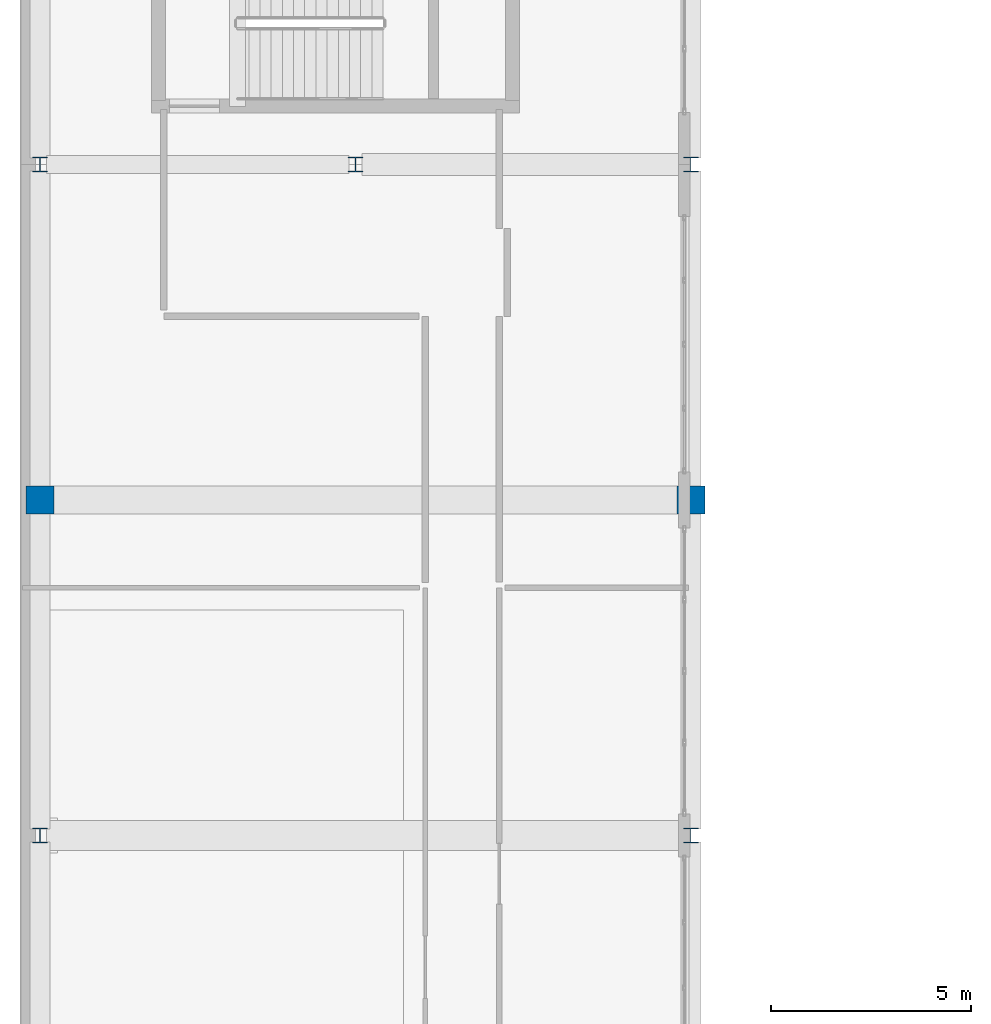
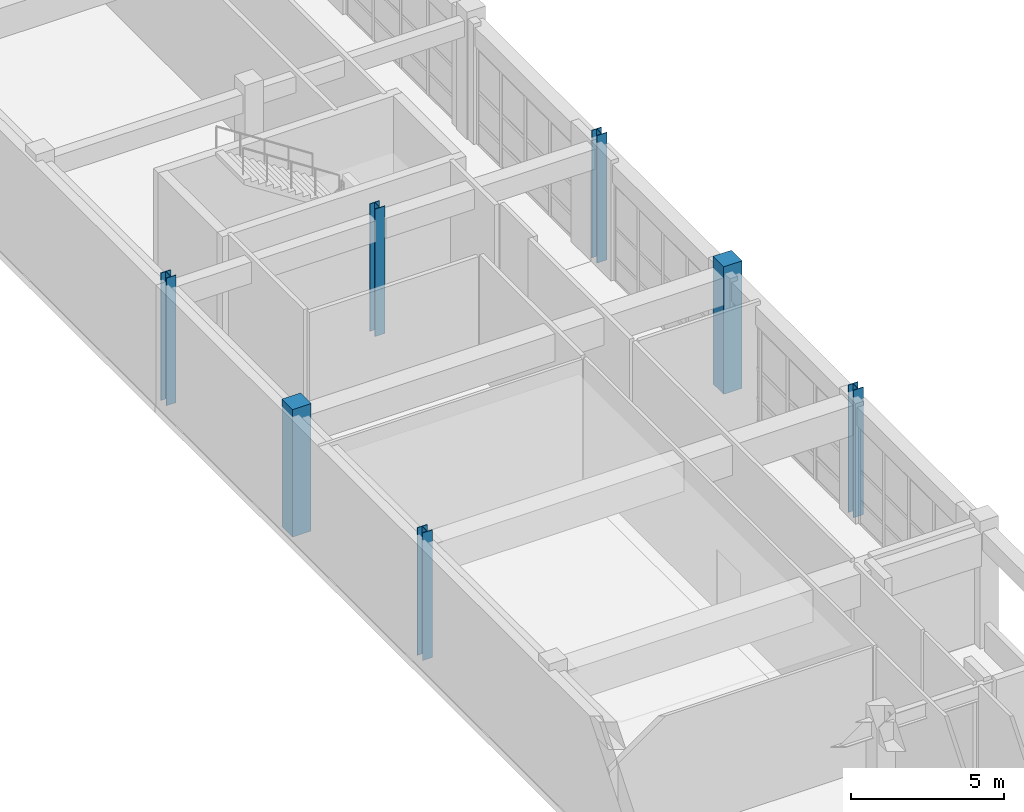
# One storey, part 3 of 78: 7 columns.
"""IFC4 building model written with IfcOpenShell, lengths in metres."""

from ifc_helpers import new_model, si_unit, direction, frame, origin, origin_2d, place, context, subcontext, project, spatial, rectangle, i_section, extrude, material, material_profile, profile_set, type_object, element, save


model = new_model("IFC4")

# Units and contexts
model_context = context("Model", 3, precision=1e-05, world=origin(), true_north=direction((0.0, 1.0)))
body_context = subcontext(model_context, "Body", "Model", "MODEL_VIEW")
ifc_project = project(units=[si_unit("LENGTHUNIT", "METRE"), si_unit("AREAUNIT", "SQUARE_METRE"), si_unit("VOLUMEUNIT", "CUBIC_METRE"), si_unit("PLANEANGLEUNIT", "RADIAN"), si_unit("MASSUNIT", "GRAM", prefix="KILO")], contexts=[model_context])

# Site, building, storey
site_placement = place(None, origin())
site = spatial("IfcSite", under=ifc_project, at=site_placement, CompositionType="ELEMENT")
building_placement = place(site_placement, origin())
building = spatial("IfcBuilding", under=site, at=building_placement, Name="Quendrovan Civic Courthouse", CompositionType="ELEMENT")
storey_placement = place(building_placement, frame((0.0, 0.0, 10.199951171875)))
storey = spatial("IfcBuildingStorey", under=building, at=storey_placement, Name="L03", CompositionType="ELEMENT", Elevation=10.199951171875)

# Columns
ifc_material_1 = material(Name="Concrete C45/55", Category="concrete")
ifc_material_profile_1 = material_profile(ifc_material_1, rectangle(XDim=0.699951171875, YDim=0.699951171875, at=origin_2d()), Name="RC-COL-700x700")
ifc_profile_set_1 = profile_set([ifc_material_profile_1], Name="Concrete C45/55")
column_type_1 = type_object("IfcColumnType", Name="COL-RC700", PredefinedType="COLUMN", material=ifc_profile_set_1)
for number, where, z_axis, x_axis, name in (
    (1, (0.5, 48.0, 0.0), (0.0, 0.0, 1.0), (1.0, 0.0, 0.0), "L03 Column 1-G"),
    (2, (16.800048828125, 48.0, 0.0), (0.0, 0.0, 1.0), (1.0, 0.0, 0.0), "L03 Column 3-G"),
):
    element("IfcColumn", number, at=place(storey_placement, frame(where, z_axis=z_axis, x_axis=x_axis)), inside=storey, type_object=column_type_1, Name=name, PredefinedType="COLUMN", context=body_context, shape_type="SweptSolid", body=[
        extrude(rectangle(XDim=0.699951171875, YDim=0.699951171875, at=origin_2d()), origin(), (0.0, 0.0, 1.0), 5.10009765625),
    ])
ifc_material_2 = material(Name="Steel ASTM A992 Grade 50", Category="steel")
ifc_material_profile_2 = material_profile(ifc_material_2, i_section(OverallWidth=0.3740234375, OverallDepth=0.3720703125, WebThickness=0.016357421875, FlangeThickness=0.026123046875, at=origin_2d()), Name="W14X132")
ifc_profile_set_2 = profile_set([ifc_material_profile_2], Name="Steel ASTM A992 Grade 50")
column_type_2 = type_object("IfcColumnType", Name="COL-STL-W14X132", PredefinedType="COLUMN", material=ifc_profile_set_2)
for number, where, z_axis, x_axis, name in (
    (3, (0.5, 39.60009765625, 0.0), (0.0, 0.0, 1.0), (1.0, 0.0, 0.0), "L03 Column 1-F"),
    (4, (0.5, 56.39990234375, 0.0), (0.0, 0.0, 1.0), (1.0, 0.0, 0.0), "L03 Column 1-H"),
    (5, (8.39990234375, 56.39990234375, 0.0), (0.0, 0.0, 1.0), (1.0, 0.0, 0.0), "L03 Column 2-H"),
    (6, (16.800048828125, 39.60009765625, 0.0), (0.0, 0.0, 1.0), (1.0, 0.0, 0.0), "L03 Column 3-F"),
    (7, (16.800048828125, 56.39990234375, 0.0), (0.0, 0.0, 1.0), (1.0, 0.0, 0.0), "L03 Column 3-H"),
):
    element("IfcColumn", number, at=place(storey_placement, frame(where, z_axis=z_axis, x_axis=x_axis)), inside=storey, type_object=column_type_2, Name=name, PredefinedType="COLUMN", context=body_context, shape_type="SweptSolid", body=[
        extrude(i_section(OverallWidth=0.3740234375, OverallDepth=0.3720703125, WebThickness=0.016357421875, FlangeThickness=0.026123046875, at=origin_2d()), origin(), (0.0, 0.0, 1.0), 5.10009765625),
    ])

save(model, "model.ifc")
